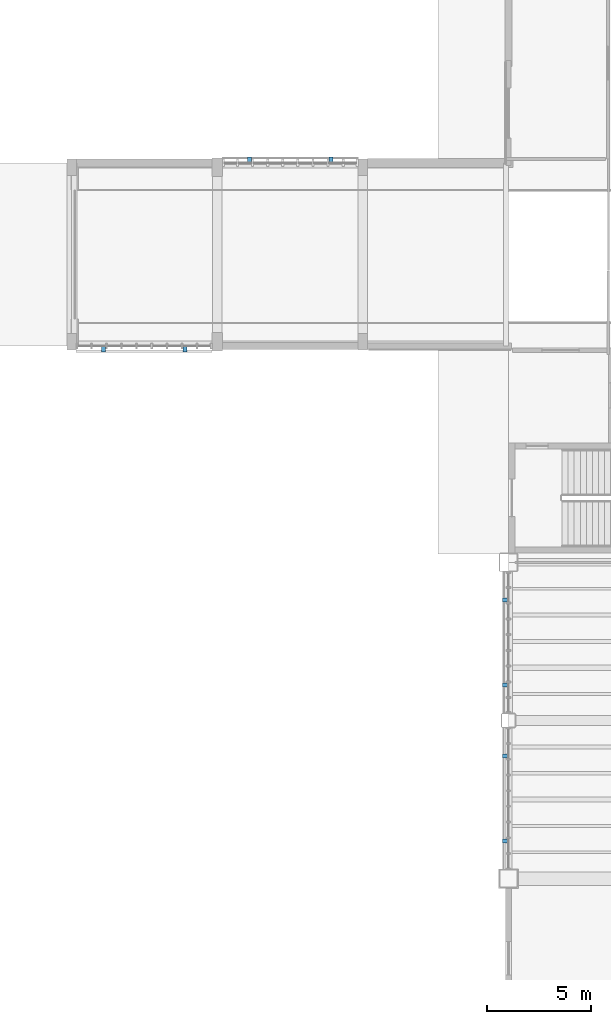
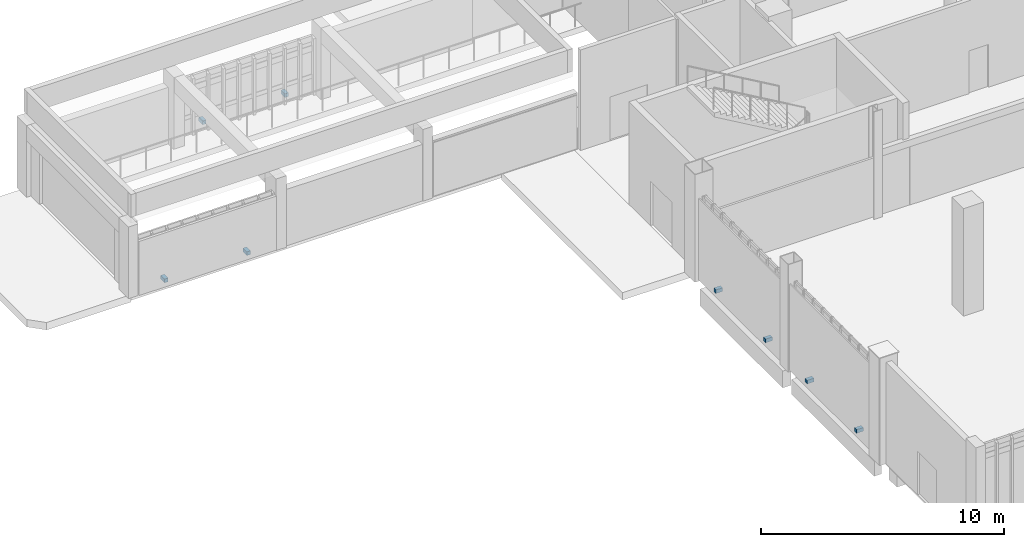
# One storey, part 95 of 111: 8 discrete accessories.
"""IFC4 building model written with IfcOpenShell, lengths in metres."""

from ifc_helpers import new_model, si_unit, direction, frame, origin, origin_2d, place, context, subcontext, project, spatial, rectangle, extrude, material, layer, layer_set, type_object, element, save


model = new_model("IFC4")

# Units and contexts
model_context = context("Model", 3, precision=1e-05, world=origin(), true_north=direction((0.0, 1.0)))
body_context = subcontext(model_context, "Body", "Model", "MODEL_VIEW")
ifc_project = project(units=[si_unit("LENGTHUNIT", "METRE"), si_unit("AREAUNIT", "SQUARE_METRE"), si_unit("VOLUMEUNIT", "CUBIC_METRE"), si_unit("PLANEANGLEUNIT", "RADIAN"), si_unit("MASSUNIT", "GRAM", prefix="KILO")], contexts=[model_context])

# Site, building, storey
site_placement = place(None, origin())
site = spatial("IfcSite", under=ifc_project, at=site_placement, CompositionType="ELEMENT")
building_placement = place(site_placement, origin())
building = spatial("IfcBuilding", under=site, at=building_placement, Name="Larkvane Passage Sports Hall", CompositionType="ELEMENT")
storey_placement = place(building_placement, origin())
storey = spatial("IfcBuildingStorey", under=building, at=storey_placement, Name="L00", CompositionType="ELEMENT", Elevation=0.0)

# Discrete accessories
ifc_material = material(Name="Steel S355JR", Category="steel")
ifc_layer = layer(ifc_material, 0.179931640625)
ifc_layer_set = layer_set([ifc_layer], Name="Steel S355JR")
discrete_accessory_type = type_object("IfcDiscreteAccessoryType", Name="ACC-BRACKET-STL", PredefinedType="BRACKET", material=ifc_layer_set)
for number, where, z_axis, x_axis, name in (
    (1, (34.679931640625, 9.40771484375, 0.26025390625), (0.0, 0.0, 1.0), (0.0, 1.0, 0.0), "Veil outrigger bracket L00-001-1"),
    (2, (34.679931640625, 13.492431640625, 0.26025390625), (0.0, 0.0, 1.0), (0.0, 1.0, 0.0), "Veil outrigger bracket L00-001-2"),
    (3, (34.679931640625, 16.90771484375, 0.26025390625), (0.0, 0.0, 1.0), (0.0, 1.0, 0.0), "Veil outrigger bracket L00-002-1"),
    (4, (34.679931640625, 20.992431640625, 0.26025390625), (0.0, 0.0, 1.0), (0.0, 1.0, 0.0), "Veil outrigger bracket L00-002-2"),
    (5, (19.247314453125, 33.080078125, 0.26025390625), (0.0, 0.0, 1.0), (-1.0, 0.0, 0.0), "Veil outrigger bracket L00-003-1"),
    (6, (15.32763671875, 33.080078125, 0.26025390625), (0.0, 0.0, 1.0), (-1.0, 0.0, 0.0), "Veil outrigger bracket L00-003-2"),
    (7, (22.3525390625, 42.1201171875, 0.26025390625), (0.0, 0.0, 1.0), (1.0, 0.0, 0.0), "Veil outrigger bracket L00-004-1"),
    (8, (26.2724609375, 42.1201171875, 0.26025390625), (0.0, 0.0, 1.0), (1.0, 0.0, 0.0), "Veil outrigger bracket L00-004-2"),
):
    element("IfcDiscreteAccessory", number, at=place(storey_placement, frame(where, z_axis=z_axis, x_axis=x_axis)), inside=storey, type_object=discrete_accessory_type, Name=name, PredefinedType="BRACKET", context=body_context, shape_type="SweptSolid", body=[
        extrude(rectangle(XDim=0.179931640625, YDim=0.320068359375, at=origin_2d()), origin(), (0.0, 0.0, 1.0), 0.179931640625),
    ])

save(model, "model.ifc")
